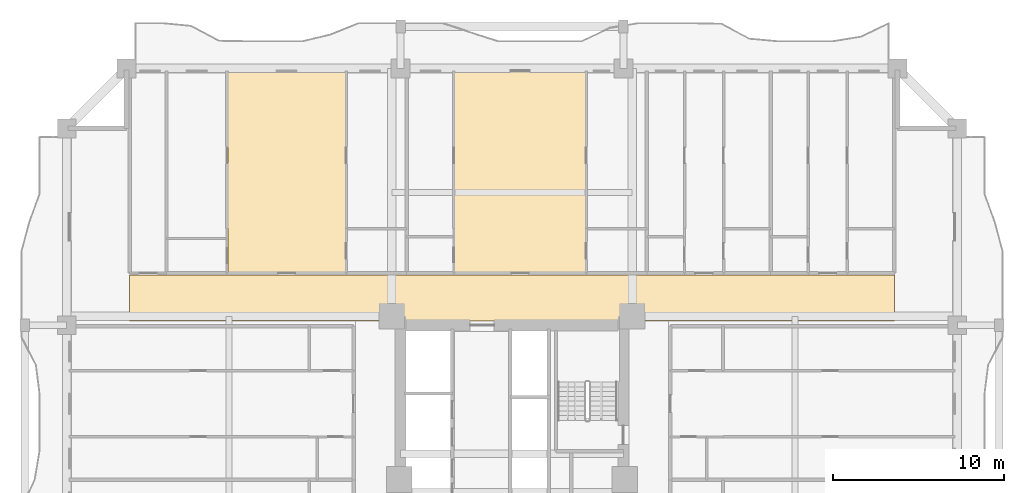
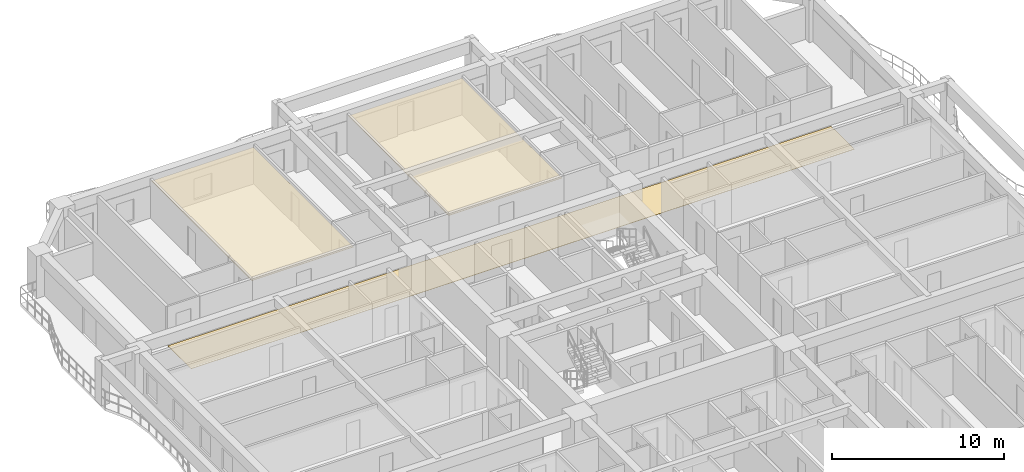
# One storey, part 16 of 17: 3 coverings.
"""IFC4 building model written with IfcOpenShell, lengths in metres."""

from ifc_helpers import new_model, si_unit, direction, frame, origin, place, context, subcontext, project, spatial, polyline, outline, extrude, material, layer, layer_set, type_object, element, save


model = new_model("IFC4")

# Units and contexts
model_context = context("Model", 3, precision=1e-05, world=origin(), true_north=direction((0.0, 1.0)))
body_context = subcontext(model_context, "Body", "Model", "MODEL_VIEW")
ifc_project = project(units=[si_unit("LENGTHUNIT", "METRE"), si_unit("AREAUNIT", "SQUARE_METRE"), si_unit("VOLUMEUNIT", "CUBIC_METRE"), si_unit("PLANEANGLEUNIT", "RADIAN"), si_unit("MASSUNIT", "GRAM", prefix="KILO")], contexts=[model_context])

# Site, building, storey
site_placement = place(None, origin())
site = spatial("IfcSite", under=ifc_project, at=site_placement, CompositionType="ELEMENT")
building_placement = place(site_placement, origin())
building = spatial("IfcBuilding", under=site, at=building_placement, Name="Saelheon Loggia Tower", CompositionType="ELEMENT")
storey_placement = place(building_placement, frame((0.0, 0.0, 22.39990234375)))
storey = spatial("IfcBuildingStorey", under=building, at=storey_placement, Name="L06", CompositionType="ELEMENT", Elevation=22.39990234375)

# Coverings
ifc_material_1 = material(Name="Mineral-Fibre Acoustic Ceiling Board", Category="gypsum")
ifc_layer_1 = layer(ifc_material_1, 0.02490234375)
ifc_layer_set_1 = layer_set([ifc_layer_1], Name="Mineral-Fibre Acoustic Ceiling Board")
covering_type_1 = type_object("IfcCoveringType", Name="Cov_Ceiling_Acoustic", PredefinedType="CEILING", material=ifc_layer_set_1)
covering_1_placement = place(storey_placement, frame((0.0, 0.0, 2.53515625)))
element("IfcCovering", 1, at=covering_1_placement, inside=storey, type_object=covering_type_1, Name="L06 Acoustic Suspended Ceiling", PredefinedType="CEILING", context=body_context, shape_type="SweptSolid", body=[
    extrude(outline(polyline([(21.40869140625, 39.10009765625), (28.27294921875, 39.10009765625), (28.27294921875, 50.800048828125), (21.40869140625, 50.800048828125), (21.40869140625, 39.10009765625)])), origin(), (0.0, 0.0, 1.0), 0.02490234375),
])
covering_2_placement = place(storey_placement, frame((0.0, 0.0, 2.53515625)))
element("IfcCovering", 2, at=covering_2_placement, inside=storey, type_object=covering_type_1, Name="L06 Acoustic Suspended Ceiling", PredefinedType="CEILING", context=body_context, shape_type="SweptSolid", body=[
    extrude(outline(polyline([(34.651611328125, 39.10009765625), (42.294677734375, 39.10009765625), (42.294677734375, 50.800048828125), (34.651611328125, 50.800048828125), (34.651611328125, 39.10009765625)])), origin(), (0.0, 0.0, 1.0), 0.02490234375),
])
ifc_material_2 = material(Name="Vitrified Porcelain Floor Tile", Category="ceramic")
ifc_layer_2 = layer(ifc_material_2, 0.02001953125)
ifc_layer_set_2 = layer_set([ifc_layer_2], Name="Vitrified Porcelain Floor Tile")
covering_type_2 = type_object("IfcCoveringType", Name="Cov_Floor_Porcelain", PredefinedType="FLOORING", material=ifc_layer_set_2)
covering_3_placement = place(storey_placement, origin())
element("IfcCovering", 3, at=covering_3_placement, inside=storey, type_object=covering_type_2, Name="L06 Corridor Porcelain Flooring", PredefinedType="FLOORING", context=body_context, shape_type="SweptSolid", body=[
    extrude(outline(polyline([(15.679931640625, 36.25), (60.320068359375, 36.25), (60.320068359375, 38.949951171875), (15.679931640625, 38.949951171875), (15.679931640625, 36.25)])), origin(), (0.0, 0.0, 1.0), 0.02001953125),
])

save(model, "model.ifc")
